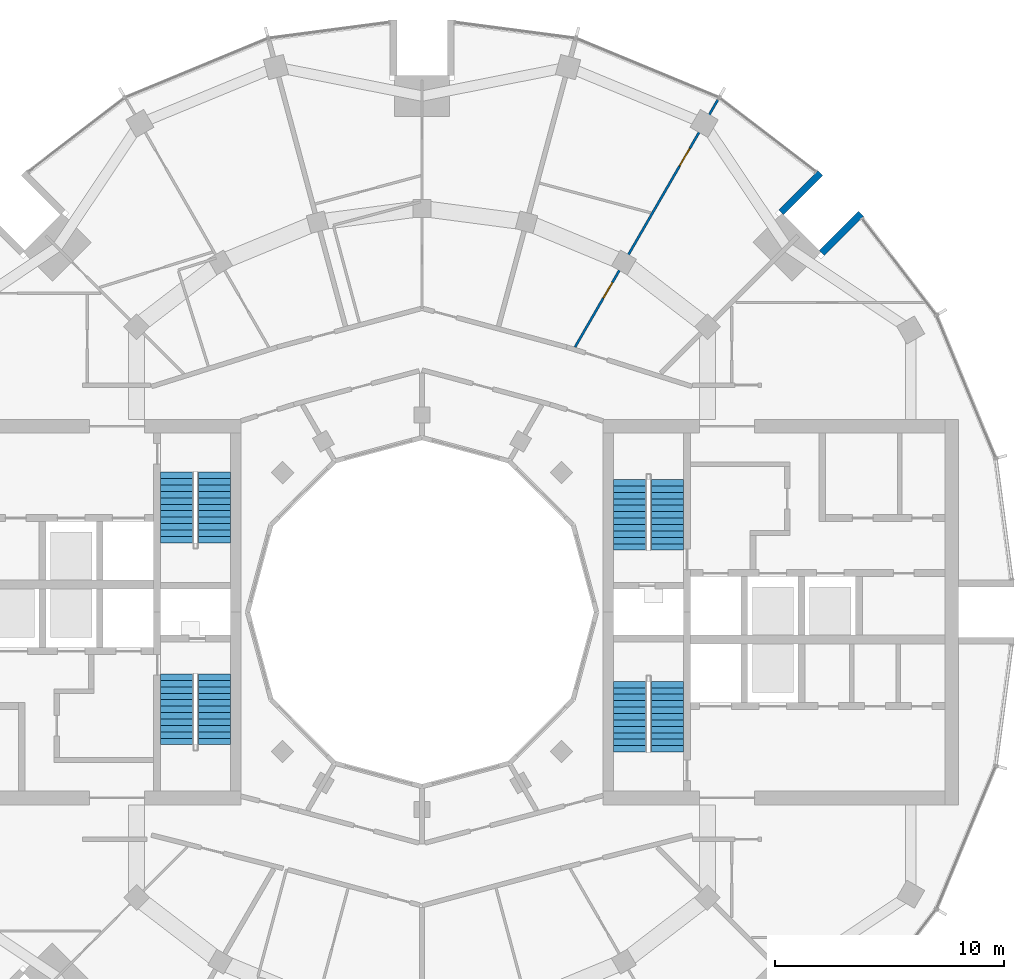
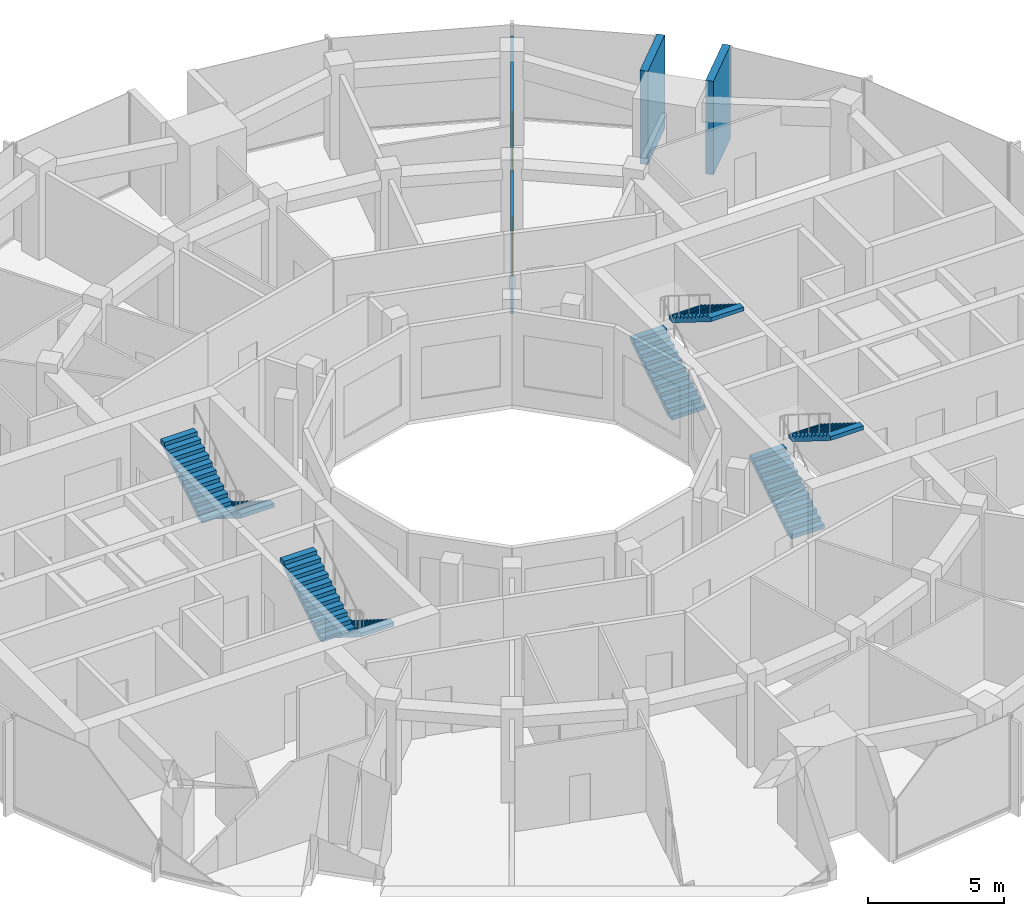
# One storey, part 13 of 15: 8 stair flights, 3 walls, 2 doors, 2 openings, 4 elements without a shape of their own.
"""IFC4 building model written with IfcOpenShell, lengths in metres."""

from ifc_helpers import new_model, si_unit, direction, frame, frame_2d, origin, place, context, subcontext, project, spatial, polyline, rectangle, outline, extrude, material, layer, layer_set, type_object, element, fill, aggregate, save


model = new_model("IFC4")

# Units and contexts
model_context = context("Model", 3, precision=1e-05, world=origin(), true_north=direction((0.0, 1.0)))
body_context = subcontext(model_context, "Body", "Model", "MODEL_VIEW")
ifc_project = project(units=[si_unit("LENGTHUNIT", "METRE"), si_unit("AREAUNIT", "SQUARE_METRE"), si_unit("VOLUMEUNIT", "CUBIC_METRE"), si_unit("PLANEANGLEUNIT", "RADIAN"), si_unit("MASSUNIT", "GRAM", prefix="KILO")], contexts=[model_context])

# Site, building, storey
site_placement = place(None, origin())
site = spatial("IfcSite", under=ifc_project, at=site_placement, CompositionType="ELEMENT")
building_placement = place(site_placement, origin())
building = spatial("IfcBuilding", under=site, at=building_placement, Name="Torre Brocal", CompositionType="ELEMENT")
storey_placement = place(building_placement, frame((0.0, 0.0, 225.10009765625)))
storey = spatial("IfcBuildingStorey", under=building, at=storey_placement, Name="L52", CompositionType="ELEMENT", Elevation=225.10009765625)

# Walls
ifc_material_1 = material(Name="Concrete C60", Category="concrete")
ifc_layer_1 = layer(ifc_material_1, 0.300048828125)
ifc_layer_set_1 = layer_set([ifc_layer_1], Name="Concrete C60")
wall_type_1 = type_object("IfcWallType", Name="NOTCH RETURN WALL 300 C60", PredefinedType="NOTDEFINED", material=ifc_layer_set_1)
for number, where, z_axis, x_axis, name in (
    (1, (97.43017578125, 90.662353515625, 0.0), (0.0, 0.0, 1.0), (0.707106781187, 0.707106781187, 0.0), "NOTCH RETURN WALL"),
    (2, (95.662353515625, 92.43017578125, 0.0), (0.0, 0.0, 1.0), (0.707106781187, 0.707106781187, 0.0), "NOTCH RETURN WALL"),
):
    element("IfcWall", number, at=place(storey_placement, frame(where, z_axis=z_axis, x_axis=x_axis)), inside=storey, type_object=wall_type_1, Name=name, PredefinedType="NOTDEFINED", context=body_context, shape_type="SweptSolid", body=[
        extrude(rectangle(XDim=2.415771484375, YDim=0.300048828125, at=frame_2d((1.2080078125, 0.0))), origin(), (0.0, 0.0, 1.0), 4.199951171875),
    ])

# Wall, openings, doors
ifc_material_2 = material(Name="Gypsum board", Category="Gypsum")
ifc_layer_2 = layer(ifc_material_2, 0.10009765625)
ifc_layer_set_2 = layer_set([ifc_layer_2], Name="Gypsum board")
wall_type_2 = type_object("IfcWallType", Name="PARTITION 100", PredefinedType="PARTITIONING", material=ifc_layer_set_2)
wall_placement = place(storey_placement, frame((86.670654296875, 86.554443359375, 0.0), z_axis=(0.0, 0.0, 1.0), x_axis=(0.500104188531, 0.865965242151, 0.0)))
wall = element("IfcWall", 3, at=wall_placement, inside=storey, type_object=wall_type_2, Name="BATHROOM WALL", PredefinedType="PARTITIONING", context=body_context, shape_type="SweptSolid", body=[
    extrude(rectangle(XDim=12.455810546875, YDim=0.10009765625, at=frame_2d((6.22802734375, 0.0))), origin(), (0.0, 0.0, 1.0), 3.75),
])
opening_1_placement = place(wall_placement, frame((9.111328125, 0.0, 0.0)))
opening_1 = element("IfcOpeningElement", 4, at=opening_1_placement, cuts=wall, Name="Opening B02-D05", PredefinedType="OPENING", context=body_context, shape_type="SweptSolid", body=[
    extrude(rectangle(XDim=0.89990234375, YDim=2.10009765625, at=frame_2d((0.449951171875, 1.050048828125))), frame((0.0, 0.06005859375, 0.0), z_axis=(0.0, -1.0, 0.0), x_axis=(1.0, 0.0, 0.0)), (0.0, 0.0, 1.0), 0.1201171875),
])
opening_2_placement = place(wall_placement, frame((2.461669921875, 0.0, 0.0)))
opening_2 = element("IfcOpeningElement", 5, at=opening_2_placement, cuts=wall, Name="Opening B02-D06", PredefinedType="OPENING", context=body_context, shape_type="SweptSolid", body=[
    extrude(rectangle(XDim=0.800048828125, YDim=2.10009765625, at=frame_2d((0.39990234375, 1.050048828125))), frame((0.0, 0.06005859375, 0.0), z_axis=(0.0, -1.0, 0.0), x_axis=(1.0, 0.0, 0.0)), (0.0, 0.0, 1.0), 0.1201171875),
])
ifc_material_3 = material(Name="Timber", Category="wood")
door_type_1 = type_object("IfcDoorType", Name="BATHROOM DOOR 800X2100", OperationType="SINGLE_SWING_LEFT", PredefinedType="DOOR", material=ifc_material_3)
door_1_placement = place(opening_2_placement, origin())
door_1 = element("IfcDoor", 6, at=door_1_placement, inside=storey, type_object=door_type_1, Name="B02-D06", OperationType="SINGLE_SWING_LEFT", OverallHeight=2.10009765625, OverallWidth=0.800048828125, PredefinedType="DOOR", context=body_context, shape_type="SweptSolid", body=[
    extrude(rectangle(XDim=0.800048828125, YDim=2.10009765625, at=frame_2d((0.39990234375, 1.050048828125))), frame((0.0, 0.02490234375, 0.0), z_axis=(0.0, -1.0, 0.0), x_axis=(1.0, 0.0, 0.0)), (0.0, 0.0, 1.0), 0.050048828125),
])
fill(opening_2, door_1)
ifc_material_4 = material(Name="Timber", Category="wood")
door_type_2 = type_object("IfcDoorType", Name="ROOM DOOR 900X2100", OperationType="SINGLE_SWING_LEFT", PredefinedType="DOOR", material=ifc_material_4)
door_2_placement = place(opening_1_placement, frame((0.89990234375, 0.0, 0.0), z_axis=(0.0, 0.0, 1.0), x_axis=(-1.0, 0.0, 0.0)))
door_2 = element("IfcDoor", 7, at=door_2_placement, inside=storey, type_object=door_type_2, Name="B02-D05", OperationType="SINGLE_SWING_LEFT", OverallHeight=2.10009765625, OverallWidth=0.89990234375, PredefinedType="DOOR", context=body_context, shape_type="SweptSolid", body=[
    extrude(rectangle(XDim=0.89990234375, YDim=2.10009765625, at=frame_2d((0.449951171875, 1.050048828125))), frame((0.0, 0.02490234375, 0.0), z_axis=(0.0, -1.0, 0.0), x_axis=(1.0, 0.0, 0.0)), (0.0, 0.0, 1.0), 0.050048828125),
])
fill(opening_1, door_2)

# Stair, stair flights
ifc_material_5 = material(Name="Concrete C50", Category="concrete")
stair_type = type_object("IfcStairType", Name="EXIT STAIR", PredefinedType="HALF_TURN_STAIR", material=ifc_material_5)
stair_1_placement = place(storey_placement, origin())
stair_1 = element("IfcStair", 8, at=stair_1_placement, inside=storey, type_object=stair_type, Name="EXIT STAIR ST1", PredefinedType="HALF_TURN_STAIR")
ifc_material_6 = material(Name="Concrete C50", Category="concrete")
ifc_layer_3 = layer(ifc_material_6, 0.14990234375)
ifc_layer_set_3 = layer_set([ifc_layer_3], Name="Concrete C50")
stair_flight_type = type_object("IfcStairFlightType", Name="STAIR FLIGHT", PredefinedType="STRAIGHT", material=ifc_layer_set_3)
stair_flight_1_placement = place(storey_placement, frame((89.050048828125, 77.699951171875, 0.0), z_axis=(0.0, 0.0, 1.0), x_axis=(0.0, 1.0, 0.0)))
stair_flight_1 = element("IfcStairFlight", 9, at=stair_flight_1_placement, type_object=stair_flight_type, Name="ST1 flight 1", NumberOfRisers=12, NumberOfTreads=11, PredefinedType="STRAIGHT", RiserHeight=0.175, TreadLength=0.28, context=body_context, shape_type="SweptSolid", body=[
    extrude(outline(polyline([(0.0, 0.0), (0.0, 0.175048828125), (0.280029296875, 0.175048828125), (0.280029296875, 0.35009765625), (0.56005859375, 0.35009765625), (0.56005859375, 0.52490234375), (0.840087890625, 0.52490234375), (0.840087890625, 0.699951171875), (1.1201171875, 0.699951171875), (1.1201171875, 0.875), (1.39990234375, 0.875), (1.39990234375, 1.050048828125), (1.679931640625, 1.050048828125), (1.679931640625, 1.22509765625), (1.9599609375, 1.22509765625), (1.9599609375, 1.39990234375), (2.239990234375, 1.39990234375), (2.239990234375, 1.574951171875), (2.52001953125, 1.574951171875), (2.52001953125, 1.75), (2.800048828125, 1.75), (2.800048828125, 1.925048828125), (3.080078125, 1.925048828125), (3.080078125, 2.10009765625), (3.080078125, 1.748291015625), (0.28271484375, 0.0), (0.0, 0.0)])), frame((0.0, 0.699951171875, 0.0), z_axis=(0.0, -1.0, 0.0), x_axis=(1.0, 0.0, 0.0)), (0.0, 0.0, 1.0), 1.39990234375),
])
stair_flight_2_placement = place(storey_placement, frame((90.699951171875, 80.780029296875, 2.099853515625), z_axis=(0.0, 0.0, 1.0), x_axis=(0.0, -1.0, 0.0)))
stair_flight_2 = element("IfcStairFlight", 10, at=stair_flight_2_placement, type_object=stair_flight_type, Name="ST1 flight 2", NumberOfRisers=12, NumberOfTreads=11, PredefinedType="STRAIGHT", RiserHeight=0.175, TreadLength=0.28, context=body_context, shape_type="SweptSolid", body=[
    extrude(outline(polyline([(0.0, 0.0), (0.0, 0.175048828125), (0.280029296875, 0.175048828125), (0.280029296875, 0.35009765625), (0.56005859375, 0.35009765625), (0.56005859375, 0.52490234375), (0.840087890625, 0.52490234375), (0.840087890625, 0.699951171875), (1.1201171875, 0.699951171875), (1.1201171875, 0.875), (1.39990234375, 0.875), (1.39990234375, 1.050048828125), (1.679931640625, 1.050048828125), (1.679931640625, 1.22509765625), (1.9599609375, 1.22509765625), (1.9599609375, 1.39990234375), (2.239990234375, 1.39990234375), (2.239990234375, 1.574951171875), (2.52001953125, 1.574951171875), (2.52001953125, 1.75), (2.800048828125, 1.75), (2.800048828125, 1.925048828125), (3.080078125, 1.925048828125), (3.080078125, 2.10009765625), (3.080078125, 1.748291015625), (0.28271484375, 0.0), (0.0, 0.0)])), frame((0.0, 0.699951171875, 0.0), z_axis=(0.0, -1.0, 0.0), x_axis=(1.0, 0.0, 0.0)), (0.0, 0.0, 1.0), 1.39990234375),
])
aggregate(stair_1, [stair_flight_1, stair_flight_2])

stair_2_placement = place(storey_placement, origin())
stair_2 = element("IfcStair", 11, at=stair_2_placement, inside=storey, type_object=stair_type, Name="EXIT STAIR ST2", PredefinedType="HALF_TURN_STAIR")
stair_flight_3_placement = place(storey_placement, frame((89.050048828125, 68.89990234375, 0.0), z_axis=(0.0, 0.0, 1.0), x_axis=(0.0, 1.0, 0.0)))
stair_flight_3 = element("IfcStairFlight", 12, at=stair_flight_3_placement, type_object=stair_flight_type, Name="ST2 flight 1", NumberOfRisers=12, NumberOfTreads=11, PredefinedType="STRAIGHT", RiserHeight=0.175, TreadLength=0.28, context=body_context, shape_type="SweptSolid", body=[
    extrude(outline(polyline([(0.0, 0.0), (0.0, 0.175048828125), (0.280029296875, 0.175048828125), (0.280029296875, 0.35009765625), (0.56005859375, 0.35009765625), (0.56005859375, 0.52490234375), (0.840087890625, 0.52490234375), (0.840087890625, 0.699951171875), (1.1201171875, 0.699951171875), (1.1201171875, 0.875), (1.39990234375, 0.875), (1.39990234375, 1.050048828125), (1.679931640625, 1.050048828125), (1.679931640625, 1.22509765625), (1.9599609375, 1.22509765625), (1.9599609375, 1.39990234375), (2.239990234375, 1.39990234375), (2.239990234375, 1.574951171875), (2.52001953125, 1.574951171875), (2.52001953125, 1.75), (2.800048828125, 1.75), (2.800048828125, 1.925048828125), (3.080078125, 1.925048828125), (3.080078125, 2.10009765625), (3.080078125, 1.748291015625), (0.28271484375, 0.0), (0.0, 0.0)])), frame((0.0, 0.699951171875, 0.0), z_axis=(0.0, -1.0, 0.0), x_axis=(1.0, 0.0, 0.0)), (0.0, 0.0, 1.0), 1.39990234375),
])
stair_flight_4_placement = place(storey_placement, frame((90.699951171875, 71.97998046875, 2.099853515625), z_axis=(0.0, 0.0, 1.0), x_axis=(0.0, -1.0, 0.0)))
stair_flight_4 = element("IfcStairFlight", 13, at=stair_flight_4_placement, type_object=stair_flight_type, Name="ST2 flight 2", NumberOfRisers=12, NumberOfTreads=11, PredefinedType="STRAIGHT", RiserHeight=0.175, TreadLength=0.28, context=body_context, shape_type="SweptSolid", body=[
    extrude(outline(polyline([(0.0, 0.0), (0.0, 0.175048828125), (0.280029296875, 0.175048828125), (0.280029296875, 0.35009765625), (0.56005859375, 0.35009765625), (0.56005859375, 0.52490234375), (0.840087890625, 0.52490234375), (0.840087890625, 0.699951171875), (1.1201171875, 0.699951171875), (1.1201171875, 0.875), (1.39990234375, 0.875), (1.39990234375, 1.050048828125), (1.679931640625, 1.050048828125), (1.679931640625, 1.22509765625), (1.9599609375, 1.22509765625), (1.9599609375, 1.39990234375), (2.239990234375, 1.39990234375), (2.239990234375, 1.574951171875), (2.52001953125, 1.574951171875), (2.52001953125, 1.75), (2.800048828125, 1.75), (2.800048828125, 1.925048828125), (3.080078125, 1.925048828125), (3.080078125, 2.10009765625), (3.080078125, 1.748291015625), (0.28271484375, 0.0), (0.0, 0.0)])), frame((0.0, 0.699951171875, 0.0), z_axis=(0.0, -1.0, 0.0), x_axis=(1.0, 0.0, 0.0)), (0.0, 0.0, 1.0), 1.39990234375),
])
aggregate(stair_2, [stair_flight_3, stair_flight_4])

stair_3_placement = place(storey_placement, origin())
stair_3 = element("IfcStair", 14, at=stair_3_placement, inside=storey, type_object=stair_type, Name="EXIT STAIR ST3", PredefinedType="HALF_TURN_STAIR")
stair_flight_5_placement = place(storey_placement, frame((70.949951171875, 72.300048828125, 0.0), z_axis=(0.0, 0.0, 1.0), x_axis=(0.0, -1.0, 0.0)))
stair_flight_5 = element("IfcStairFlight", 15, at=stair_flight_5_placement, type_object=stair_flight_type, Name="ST3 flight 1", NumberOfRisers=12, NumberOfTreads=11, PredefinedType="STRAIGHT", RiserHeight=0.175, TreadLength=0.28, context=body_context, shape_type="SweptSolid", body=[
    extrude(outline(polyline([(0.0, 0.0), (0.0, 0.175048828125), (0.280029296875, 0.175048828125), (0.280029296875, 0.35009765625), (0.56005859375, 0.35009765625), (0.56005859375, 0.52490234375), (0.840087890625, 0.52490234375), (0.840087890625, 0.699951171875), (1.1201171875, 0.699951171875), (1.1201171875, 0.875), (1.39990234375, 0.875), (1.39990234375, 1.050048828125), (1.679931640625, 1.050048828125), (1.679931640625, 1.22509765625), (1.9599609375, 1.22509765625), (1.9599609375, 1.39990234375), (2.239990234375, 1.39990234375), (2.239990234375, 1.574951171875), (2.52001953125, 1.574951171875), (2.52001953125, 1.75), (2.800048828125, 1.75), (2.800048828125, 1.925048828125), (3.080078125, 1.925048828125), (3.080078125, 2.10009765625), (3.080078125, 1.748291015625), (0.28271484375, 0.0), (0.0, 0.0)])), frame((0.0, 0.699951171875, 0.0), z_axis=(0.0, -1.0, 0.0), x_axis=(1.0, 0.0, 0.0)), (0.0, 0.0, 1.0), 1.39990234375),
])
stair_flight_6_placement = place(storey_placement, frame((69.300048828125, 69.219970703125, 2.099853515625), z_axis=(0.0, 0.0, 1.0), x_axis=(0.0, 1.0, 0.0)))
stair_flight_6 = element("IfcStairFlight", 16, at=stair_flight_6_placement, type_object=stair_flight_type, Name="ST3 flight 2", NumberOfRisers=12, NumberOfTreads=11, PredefinedType="STRAIGHT", RiserHeight=0.175, TreadLength=0.28, context=body_context, shape_type="SweptSolid", body=[
    extrude(outline(polyline([(0.0, 0.0), (0.0, 0.175048828125), (0.280029296875, 0.175048828125), (0.280029296875, 0.35009765625), (0.56005859375, 0.35009765625), (0.56005859375, 0.52490234375), (0.840087890625, 0.52490234375), (0.840087890625, 0.699951171875), (1.1201171875, 0.699951171875), (1.1201171875, 0.875), (1.39990234375, 0.875), (1.39990234375, 1.050048828125), (1.679931640625, 1.050048828125), (1.679931640625, 1.22509765625), (1.9599609375, 1.22509765625), (1.9599609375, 1.39990234375), (2.239990234375, 1.39990234375), (2.239990234375, 1.574951171875), (2.52001953125, 1.574951171875), (2.52001953125, 1.75), (2.800048828125, 1.75), (2.800048828125, 1.925048828125), (3.080078125, 1.925048828125), (3.080078125, 2.10009765625), (3.080078125, 1.748291015625), (0.28271484375, 0.0), (0.0, 0.0)])), frame((0.0, 0.699951171875, 0.0), z_axis=(0.0, -1.0, 0.0), x_axis=(1.0, 0.0, 0.0)), (0.0, 0.0, 1.0), 1.39990234375),
])
aggregate(stair_3, [stair_flight_5, stair_flight_6])

stair_4_placement = place(storey_placement, origin())
stair_4 = element("IfcStair", 17, at=stair_4_placement, inside=storey, type_object=stair_type, Name="EXIT STAIR ST4", PredefinedType="HALF_TURN_STAIR")
stair_flight_7_placement = place(storey_placement, frame((70.949951171875, 81.10009765625, 0.0), z_axis=(0.0, 0.0, 1.0), x_axis=(0.0, -1.0, 0.0)))
stair_flight_7 = element("IfcStairFlight", 18, at=stair_flight_7_placement, type_object=stair_flight_type, Name="ST4 flight 1", NumberOfRisers=12, NumberOfTreads=11, PredefinedType="STRAIGHT", RiserHeight=0.175, TreadLength=0.28, context=body_context, shape_type="SweptSolid", body=[
    extrude(outline(polyline([(0.0, 0.0), (0.0, 0.175048828125), (0.280029296875, 0.175048828125), (0.280029296875, 0.35009765625), (0.56005859375, 0.35009765625), (0.56005859375, 0.52490234375), (0.840087890625, 0.52490234375), (0.840087890625, 0.699951171875), (1.1201171875, 0.699951171875), (1.1201171875, 0.875), (1.39990234375, 0.875), (1.39990234375, 1.050048828125), (1.679931640625, 1.050048828125), (1.679931640625, 1.22509765625), (1.9599609375, 1.22509765625), (1.9599609375, 1.39990234375), (2.239990234375, 1.39990234375), (2.239990234375, 1.574951171875), (2.52001953125, 1.574951171875), (2.52001953125, 1.75), (2.800048828125, 1.75), (2.800048828125, 1.925048828125), (3.080078125, 1.925048828125), (3.080078125, 2.10009765625), (3.080078125, 1.748291015625), (0.28271484375, 0.0), (0.0, 0.0)])), frame((0.0, 0.699951171875, 0.0), z_axis=(0.0, -1.0, 0.0), x_axis=(1.0, 0.0, 0.0)), (0.0, 0.0, 1.0), 1.39990234375),
])
stair_flight_8_placement = place(storey_placement, frame((69.300048828125, 78.02001953125, 2.099853515625), z_axis=(0.0, 0.0, 1.0), x_axis=(0.0, 1.0, 0.0)))
stair_flight_8 = element("IfcStairFlight", 19, at=stair_flight_8_placement, type_object=stair_flight_type, Name="ST4 flight 2", NumberOfRisers=12, NumberOfTreads=11, PredefinedType="STRAIGHT", RiserHeight=0.175, TreadLength=0.28, context=body_context, shape_type="SweptSolid", body=[
    extrude(outline(polyline([(0.0, 0.0), (0.0, 0.175048828125), (0.280029296875, 0.175048828125), (0.280029296875, 0.35009765625), (0.56005859375, 0.35009765625), (0.56005859375, 0.52490234375), (0.840087890625, 0.52490234375), (0.840087890625, 0.699951171875), (1.1201171875, 0.699951171875), (1.1201171875, 0.875), (1.39990234375, 0.875), (1.39990234375, 1.050048828125), (1.679931640625, 1.050048828125), (1.679931640625, 1.22509765625), (1.9599609375, 1.22509765625), (1.9599609375, 1.39990234375), (2.239990234375, 1.39990234375), (2.239990234375, 1.574951171875), (2.52001953125, 1.574951171875), (2.52001953125, 1.75), (2.800048828125, 1.75), (2.800048828125, 1.925048828125), (3.080078125, 1.925048828125), (3.080078125, 2.10009765625), (3.080078125, 1.748291015625), (0.28271484375, 0.0), (0.0, 0.0)])), frame((0.0, 0.699951171875, 0.0), z_axis=(0.0, -1.0, 0.0), x_axis=(1.0, 0.0, 0.0)), (0.0, 0.0, 1.0), 1.39990234375),
])
aggregate(stair_4, [stair_flight_7, stair_flight_8])

save(model, "model.ifc")
